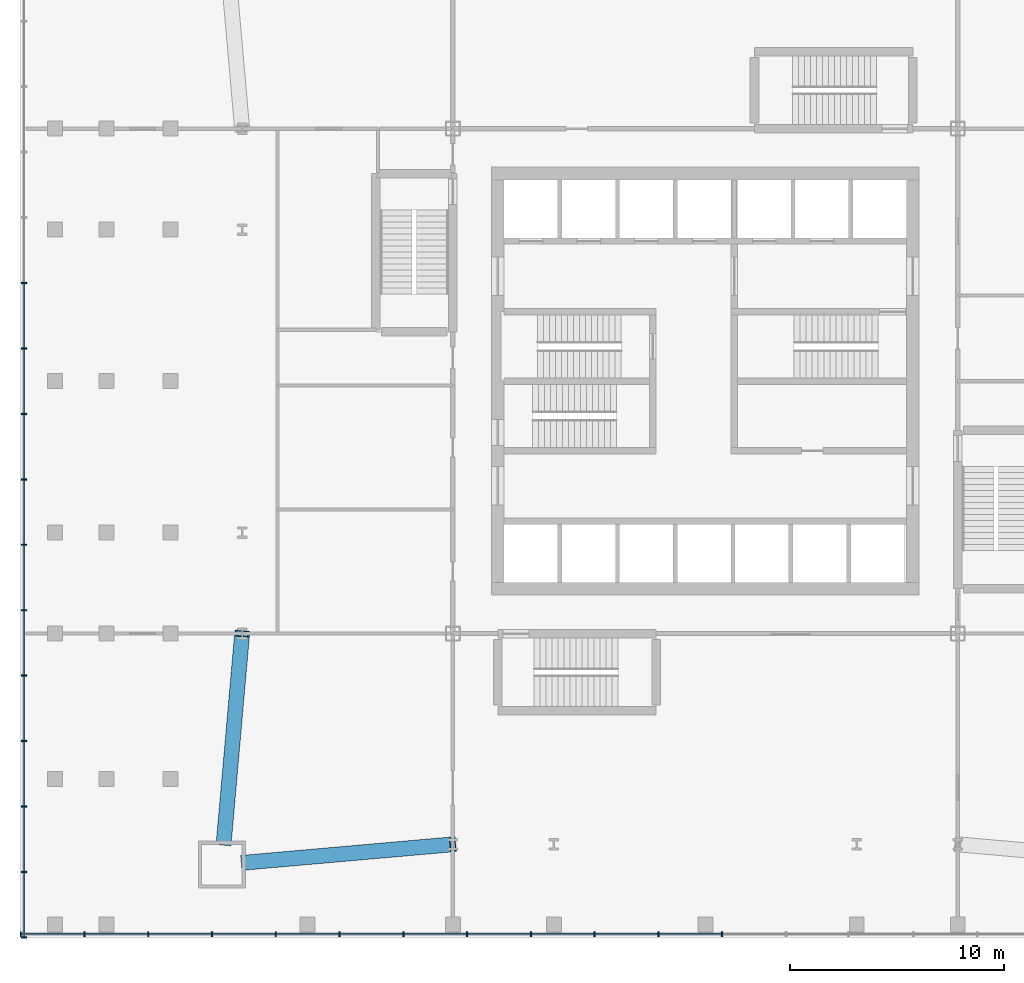
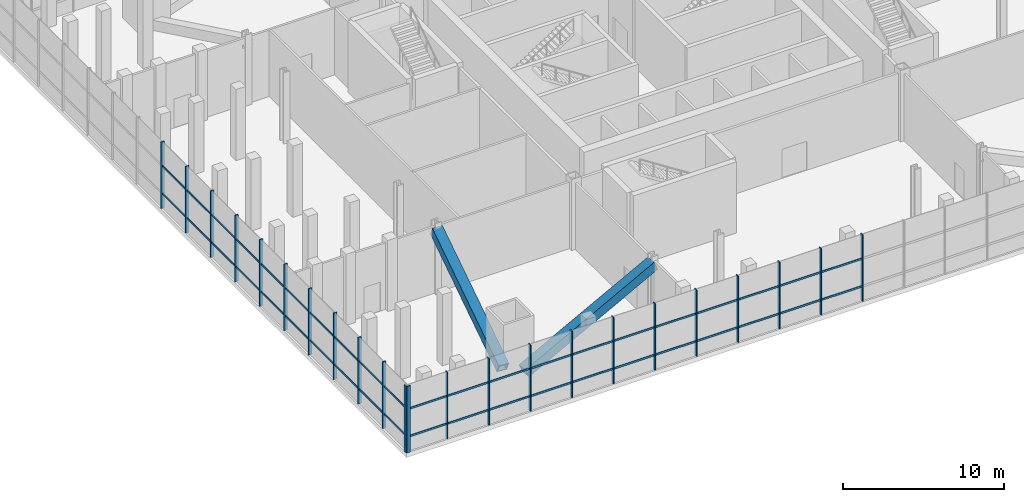
# One storey, part 2 of 17: 67 members, 2 elements without a shape of their own.
"""IFC4 building model written with IfcOpenShell, lengths in metres."""

from ifc_helpers import new_model, si_unit, direction, frame, origin, origin_2d, place, context, subcontext, project, spatial, rectangle, hollow_rectangle, extrude, material, material_profile, profile_set, type_object, element, aggregate, save


model = new_model("IFC4")

# Units and contexts
model_context = context("Model", 3, precision=1e-05, world=origin(), true_north=direction((0.0, 1.0)))
body_context = subcontext(model_context, "Body", "Model", "MODEL_VIEW")
ifc_project = project(units=[si_unit("LENGTHUNIT", "METRE"), si_unit("AREAUNIT", "SQUARE_METRE"), si_unit("VOLUMEUNIT", "CUBIC_METRE"), si_unit("PLANEANGLEUNIT", "RADIAN"), si_unit("MASSUNIT", "GRAM", prefix="KILO")], contexts=[model_context])

# Site, building, storey
site_placement = place(None, origin())
site = spatial("IfcSite", under=ifc_project, at=site_placement, CompositionType="ELEMENT")
building_placement = place(site_placement, origin())
building = spatial("IfcBuilding", under=site, at=building_placement, Name="Turquesa Mirador Hotel Tower", CompositionType="ELEMENT")
storey_placement = place(building_placement, frame((0.0, 0.0, 5.60009765625)))
storey = spatial("IfcBuildingStorey", under=building, at=storey_placement, Name="L01", CompositionType="ELEMENT", Elevation=5.60009765625)

# Curtain wall, members
ifc_material_1 = material(Name="Aluminium extrusion", Category="aluminium")
curtain_wall_type = type_object("IfcCurtainWallType", Name="CW-2 PODIUM CURTAIN WALL", PredefinedType="USERDEFINED", material=ifc_material_1)
curtain_wall_1_placement = place(storey_placement, origin())
curtain_wall_1 = element("IfcCurtainWall", 1, at=curtain_wall_1_placement, inside=storey, type_object=curtain_wall_type, Name="CW-2 PODIUM CURTAIN WALL L01", ObjectType="CURTAIN WALL", PredefinedType="USERDEFINED")
ifc_material_2 = material(Name="Aluminium extrusion", Category="aluminium")
ifc_material_profile_1 = material_profile(ifc_material_2, rectangle(XDim=0.06494140625, YDim=0.25, at=origin_2d()), Name="MULLION 65X250")
ifc_profile_set_1 = profile_set([ifc_material_profile_1], Name="Aluminium extrusion")
member_type_1 = type_object("IfcMemberType", Name="CW MULLION 65X250", PredefinedType="MULLION", material=ifc_profile_set_1)
member_1_placement = place(storey_placement, frame((23.0, 19.14990234375, 0.0), z_axis=(0.0, 0.0, 1.0), x_axis=(1.0, 0.0, 0.0)))
member_1 = element("IfcMember", 2, at=member_1_placement, type_object=member_type_1, Name="Mullion", PredefinedType="MULLION", context=body_context, shape_type="SweptSolid", body=[
    extrude(rectangle(XDim=0.06494140625, YDim=0.25, at=origin_2d()), origin(), (0.0, 0.0, 1.0), 5.0498046875),
])
member_2_placement = place(storey_placement, frame((25.980712890625, 19.14990234375, 0.0), z_axis=(0.0, 0.0, 1.0), x_axis=(1.0, 0.0, 0.0)))
member_2 = element("IfcMember", 3, at=member_2_placement, type_object=member_type_1, Name="Mullion", PredefinedType="MULLION", context=body_context, shape_type="SweptSolid", body=[
    extrude(rectangle(XDim=0.06494140625, YDim=0.25, at=origin_2d()), origin(), (0.0, 0.0, 1.0), 5.0498046875),
])
member_3_placement = place(storey_placement, frame((28.961669921875, 19.14990234375, 0.0), z_axis=(0.0, 0.0, 1.0), x_axis=(1.0, 0.0, 0.0)))
member_3 = element("IfcMember", 4, at=member_3_placement, type_object=member_type_1, Name="Mullion", PredefinedType="MULLION", context=body_context, shape_type="SweptSolid", body=[
    extrude(rectangle(XDim=0.06494140625, YDim=0.25, at=origin_2d()), origin(), (0.0, 0.0, 1.0), 5.0498046875),
])
member_4_placement = place(storey_placement, frame((31.9423828125, 19.14990234375, 0.0), z_axis=(0.0, 0.0, 1.0), x_axis=(1.0, 0.0, 0.0)))
member_4 = element("IfcMember", 5, at=member_4_placement, type_object=member_type_1, Name="Mullion", PredefinedType="MULLION", context=body_context, shape_type="SweptSolid", body=[
    extrude(rectangle(XDim=0.06494140625, YDim=0.25, at=origin_2d()), origin(), (0.0, 0.0, 1.0), 5.0498046875),
])
member_5_placement = place(storey_placement, frame((34.923095703125, 19.14990234375, 0.0), z_axis=(0.0, 0.0, 1.0), x_axis=(1.0, 0.0, 0.0)))
member_5 = element("IfcMember", 6, at=member_5_placement, type_object=member_type_1, Name="Mullion", PredefinedType="MULLION", context=body_context, shape_type="SweptSolid", body=[
    extrude(rectangle(XDim=0.06494140625, YDim=0.25, at=origin_2d()), origin(), (0.0, 0.0, 1.0), 5.0498046875),
])
member_6_placement = place(storey_placement, frame((37.90380859375, 19.14990234375, 0.0), z_axis=(0.0, 0.0, 1.0), x_axis=(1.0, 0.0, 0.0)))
member_6 = element("IfcMember", 7, at=member_6_placement, type_object=member_type_1, Name="Mullion", PredefinedType="MULLION", context=body_context, shape_type="SweptSolid", body=[
    extrude(rectangle(XDim=0.06494140625, YDim=0.25, at=origin_2d()), origin(), (0.0, 0.0, 1.0), 5.0498046875),
])
member_7_placement = place(storey_placement, frame((40.884765625, 19.14990234375, 0.0), z_axis=(0.0, 0.0, 1.0), x_axis=(1.0, 0.0, 0.0)))
member_7 = element("IfcMember", 8, at=member_7_placement, type_object=member_type_1, Name="Mullion", PredefinedType="MULLION", context=body_context, shape_type="SweptSolid", body=[
    extrude(rectangle(XDim=0.06494140625, YDim=0.25, at=origin_2d()), origin(), (0.0, 0.0, 1.0), 5.0498046875),
])
member_8_placement = place(storey_placement, frame((43.865478515625, 19.14990234375, 0.0), z_axis=(0.0, 0.0, 1.0), x_axis=(1.0, 0.0, 0.0)))
member_8 = element("IfcMember", 9, at=member_8_placement, type_object=member_type_1, Name="Mullion", PredefinedType="MULLION", context=body_context, shape_type="SweptSolid", body=[
    extrude(rectangle(XDim=0.06494140625, YDim=0.25, at=origin_2d()), origin(), (0.0, 0.0, 1.0), 5.0498046875),
])
member_9_placement = place(storey_placement, frame((46.84619140625, 19.14990234375, 0.0), z_axis=(0.0, 0.0, 1.0), x_axis=(1.0, 0.0, 0.0)))
member_9 = element("IfcMember", 10, at=member_9_placement, type_object=member_type_1, Name="Mullion", PredefinedType="MULLION", context=body_context, shape_type="SweptSolid", body=[
    extrude(rectangle(XDim=0.06494140625, YDim=0.25, at=origin_2d()), origin(), (0.0, 0.0, 1.0), 5.0498046875),
])
member_10_placement = place(storey_placement, frame((49.826904296875, 19.14990234375, 0.0), z_axis=(0.0, 0.0, 1.0), x_axis=(1.0, 0.0, 0.0)))
member_10 = element("IfcMember", 11, at=member_10_placement, type_object=member_type_1, Name="Mullion", PredefinedType="MULLION", context=body_context, shape_type="SweptSolid", body=[
    extrude(rectangle(XDim=0.06494140625, YDim=0.25, at=origin_2d()), origin(), (0.0, 0.0, 1.0), 5.0498046875),
])
member_11_placement = place(storey_placement, frame((52.807861328125, 19.14990234375, 0.0), z_axis=(0.0, 0.0, 1.0), x_axis=(1.0, 0.0, 0.0)))
member_11 = element("IfcMember", 12, at=member_11_placement, type_object=member_type_1, Name="Mullion", PredefinedType="MULLION", context=body_context, shape_type="SweptSolid", body=[
    extrude(rectangle(XDim=0.06494140625, YDim=0.25, at=origin_2d()), origin(), (0.0, 0.0, 1.0), 5.0498046875),
])
member_12_placement = place(storey_placement, frame((55.78857421875, 19.14990234375, 0.0), z_axis=(0.0, 0.0, 1.0), x_axis=(1.0, 0.0, 0.0)))
member_12 = element("IfcMember", 13, at=member_12_placement, type_object=member_type_1, Name="Mullion", PredefinedType="MULLION", context=body_context, shape_type="SweptSolid", body=[
    extrude(rectangle(XDim=0.06494140625, YDim=0.25, at=origin_2d()), origin(), (0.0, 0.0, 1.0), 5.0498046875),
])

curtain_wall_2_placement = place(storey_placement, origin())
curtain_wall_2 = element("IfcCurtainWall", 14, at=curtain_wall_2_placement, inside=storey, type_object=curtain_wall_type, Name="CW-2 PODIUM CURTAIN WALL L01", ObjectType="CURTAIN WALL", PredefinedType="USERDEFINED")
member_13_placement = place(storey_placement, frame((23.14990234375, 49.588134765625, 0.0), z_axis=(0.0, 0.0, 1.0), x_axis=(0.0, -1.0, 0.0)))
member_13 = element("IfcMember", 15, at=member_13_placement, type_object=member_type_1, Name="Mullion", PredefinedType="MULLION", context=body_context, shape_type="SweptSolid", body=[
    extrude(rectangle(XDim=0.06494140625, YDim=0.25, at=origin_2d()), origin(), (0.0, 0.0, 1.0), 5.0498046875),
])
member_14_placement = place(storey_placement, frame((23.14990234375, 46.529296875, 0.0), z_axis=(0.0, 0.0, 1.0), x_axis=(0.0, -1.0, 0.0)))
member_14 = element("IfcMember", 16, at=member_14_placement, type_object=member_type_1, Name="Mullion", PredefinedType="MULLION", context=body_context, shape_type="SweptSolid", body=[
    extrude(rectangle(XDim=0.06494140625, YDim=0.25, at=origin_2d()), origin(), (0.0, 0.0, 1.0), 5.0498046875),
])
member_15_placement = place(storey_placement, frame((23.14990234375, 43.470703125, 0.0), z_axis=(0.0, 0.0, 1.0), x_axis=(0.0, -1.0, 0.0)))
member_15 = element("IfcMember", 17, at=member_15_placement, type_object=member_type_1, Name="Mullion", PredefinedType="MULLION", context=body_context, shape_type="SweptSolid", body=[
    extrude(rectangle(XDim=0.06494140625, YDim=0.25, at=origin_2d()), origin(), (0.0, 0.0, 1.0), 5.0498046875),
])
member_16_placement = place(storey_placement, frame((23.14990234375, 40.411865234375, 0.0), z_axis=(0.0, 0.0, 1.0), x_axis=(0.0, -1.0, 0.0)))
member_16 = element("IfcMember", 18, at=member_16_placement, type_object=member_type_1, Name="Mullion", PredefinedType="MULLION", context=body_context, shape_type="SweptSolid", body=[
    extrude(rectangle(XDim=0.06494140625, YDim=0.25, at=origin_2d()), origin(), (0.0, 0.0, 1.0), 5.0498046875),
])
member_17_placement = place(storey_placement, frame((23.14990234375, 37.35302734375, 0.0), z_axis=(0.0, 0.0, 1.0), x_axis=(0.0, -1.0, 0.0)))
member_17 = element("IfcMember", 19, at=member_17_placement, type_object=member_type_1, Name="Mullion", PredefinedType="MULLION", context=body_context, shape_type="SweptSolid", body=[
    extrude(rectangle(XDim=0.06494140625, YDim=0.25, at=origin_2d()), origin(), (0.0, 0.0, 1.0), 5.0498046875),
])
member_18_placement = place(storey_placement, frame((23.14990234375, 34.294189453125, 0.0), z_axis=(0.0, 0.0, 1.0), x_axis=(0.0, -1.0, 0.0)))
member_18 = element("IfcMember", 20, at=member_18_placement, type_object=member_type_1, Name="Mullion", PredefinedType="MULLION", context=body_context, shape_type="SweptSolid", body=[
    extrude(rectangle(XDim=0.06494140625, YDim=0.25, at=origin_2d()), origin(), (0.0, 0.0, 1.0), 5.0498046875),
])
member_19_placement = place(storey_placement, frame((23.14990234375, 31.2353515625, 0.0), z_axis=(0.0, 0.0, 1.0), x_axis=(0.0, -1.0, 0.0)))
member_19 = element("IfcMember", 21, at=member_19_placement, type_object=member_type_1, Name="Mullion", PredefinedType="MULLION", context=body_context, shape_type="SweptSolid", body=[
    extrude(rectangle(XDim=0.06494140625, YDim=0.25, at=origin_2d()), origin(), (0.0, 0.0, 1.0), 5.0498046875),
])
member_20_placement = place(storey_placement, frame((23.14990234375, 28.176513671875, 0.0), z_axis=(0.0, 0.0, 1.0), x_axis=(0.0, -1.0, 0.0)))
member_20 = element("IfcMember", 22, at=member_20_placement, type_object=member_type_1, Name="Mullion", PredefinedType="MULLION", context=body_context, shape_type="SweptSolid", body=[
    extrude(rectangle(XDim=0.06494140625, YDim=0.25, at=origin_2d()), origin(), (0.0, 0.0, 1.0), 5.0498046875),
])
member_21_placement = place(storey_placement, frame((23.14990234375, 25.11767578125, 0.0), z_axis=(0.0, 0.0, 1.0), x_axis=(0.0, -1.0, 0.0)))
member_21 = element("IfcMember", 23, at=member_21_placement, type_object=member_type_1, Name="Mullion", PredefinedType="MULLION", context=body_context, shape_type="SweptSolid", body=[
    extrude(rectangle(XDim=0.06494140625, YDim=0.25, at=origin_2d()), origin(), (0.0, 0.0, 1.0), 5.0498046875),
])
member_22_placement = place(storey_placement, frame((23.14990234375, 22.058837890625, 0.0), z_axis=(0.0, 0.0, 1.0), x_axis=(0.0, -1.0, 0.0)))
member_22 = element("IfcMember", 24, at=member_22_placement, type_object=member_type_1, Name="Mullion", PredefinedType="MULLION", context=body_context, shape_type="SweptSolid", body=[
    extrude(rectangle(XDim=0.06494140625, YDim=0.25, at=origin_2d()), origin(), (0.0, 0.0, 1.0), 5.0498046875),
])
member_23_placement = place(storey_placement, frame((23.14990234375, 19.0, 0.0), z_axis=(0.0, 0.0, 1.0), x_axis=(0.0, -1.0, 0.0)))
member_23 = element("IfcMember", 25, at=member_23_placement, type_object=member_type_1, Name="Mullion", PredefinedType="MULLION", context=body_context, shape_type="SweptSolid", body=[
    extrude(rectangle(XDim=0.06494140625, YDim=0.25, at=origin_2d()), origin(), (0.0, 0.0, 1.0), 5.0498046875),
])

# Member
ifc_material_3 = material(Name="Aluminium extrusion", Category="aluminium")
ifc_material_profile_2 = material_profile(ifc_material_3, rectangle(XDim=0.06494140625, YDim=0.14990234375, at=origin_2d()), Name="TRANSOM 65X150")
ifc_profile_set_2 = profile_set([ifc_material_profile_2], Name="Aluminium extrusion")
member_type_2 = type_object("IfcMemberType", Name="CW TRANSOM 65X150", PredefinedType="USERDEFINED", material=ifc_profile_set_2)
member_24_placement = place(storey_placement, frame((23.032470703125, 19.14990234375, 1.099853515625), z_axis=(1.0, 0.0, 0.0), x_axis=(0.0, 1.0, 0.0)))
member_24 = element("IfcMember", 26, at=member_24_placement, type_object=member_type_2, Name="Transom", ObjectType="TRANSOM", PredefinedType="USERDEFINED", context=body_context, shape_type="SweptSolid", body=[
    extrude(rectangle(XDim=0.06494140625, YDim=0.14990234375, at=origin_2d()), origin(), (0.0, 0.0, 1.0), 2.915771484375),
])

member_25_placement = place(storey_placement, frame((23.032470703125, 19.14990234375, 3.199951171875), z_axis=(1.0, 0.0, 0.0), x_axis=(0.0, 1.0, 0.0)))
member_25 = element("IfcMember", 27, at=member_25_placement, type_object=member_type_2, Name="Transom", ObjectType="TRANSOM", PredefinedType="USERDEFINED", context=body_context, shape_type="SweptSolid", body=[
    extrude(rectangle(XDim=0.06494140625, YDim=0.14990234375, at=origin_2d()), origin(), (0.0, 0.0, 1.0), 2.915771484375),
])

member_26_placement = place(storey_placement, frame((26.01318359375, 19.14990234375, 1.099853515625), z_axis=(1.0, 0.0, 0.0), x_axis=(0.0, 1.0, 0.0)))
member_26 = element("IfcMember", 28, at=member_26_placement, type_object=member_type_2, Name="Transom", ObjectType="TRANSOM", PredefinedType="USERDEFINED", context=body_context, shape_type="SweptSolid", body=[
    extrude(rectangle(XDim=0.06494140625, YDim=0.14990234375, at=origin_2d()), origin(), (0.0, 0.0, 1.0), 2.915771484375),
])

member_27_placement = place(storey_placement, frame((26.01318359375, 19.14990234375, 3.199951171875), z_axis=(1.0, 0.0, 0.0), x_axis=(0.0, 1.0, 0.0)))
member_27 = element("IfcMember", 29, at=member_27_placement, type_object=member_type_2, Name="Transom", ObjectType="TRANSOM", PredefinedType="USERDEFINED", context=body_context, shape_type="SweptSolid", body=[
    extrude(rectangle(XDim=0.06494140625, YDim=0.14990234375, at=origin_2d()), origin(), (0.0, 0.0, 1.0), 2.915771484375),
])

member_28_placement = place(storey_placement, frame((28.994140625, 19.14990234375, 1.099853515625), z_axis=(1.0, 0.0, 0.0), x_axis=(0.0, 1.0, 0.0)))
member_28 = element("IfcMember", 30, at=member_28_placement, type_object=member_type_2, Name="Transom", ObjectType="TRANSOM", PredefinedType="USERDEFINED", context=body_context, shape_type="SweptSolid", body=[
    extrude(rectangle(XDim=0.06494140625, YDim=0.14990234375, at=origin_2d()), origin(), (0.0, 0.0, 1.0), 2.915771484375),
])

member_29_placement = place(storey_placement, frame((28.994140625, 19.14990234375, 3.199951171875), z_axis=(1.0, 0.0, 0.0), x_axis=(0.0, 1.0, 0.0)))
member_29 = element("IfcMember", 31, at=member_29_placement, type_object=member_type_2, Name="Transom", ObjectType="TRANSOM", PredefinedType="USERDEFINED", context=body_context, shape_type="SweptSolid", body=[
    extrude(rectangle(XDim=0.06494140625, YDim=0.14990234375, at=origin_2d()), origin(), (0.0, 0.0, 1.0), 2.915771484375),
])

member_30_placement = place(storey_placement, frame((31.974853515625, 19.14990234375, 1.099853515625), z_axis=(1.0, 0.0, 0.0), x_axis=(0.0, 1.0, 0.0)))
member_30 = element("IfcMember", 32, at=member_30_placement, type_object=member_type_2, Name="Transom", ObjectType="TRANSOM", PredefinedType="USERDEFINED", context=body_context, shape_type="SweptSolid", body=[
    extrude(rectangle(XDim=0.06494140625, YDim=0.14990234375, at=origin_2d()), origin(), (0.0, 0.0, 1.0), 2.915771484375),
])

member_31_placement = place(storey_placement, frame((31.974853515625, 19.14990234375, 3.199951171875), z_axis=(1.0, 0.0, 0.0), x_axis=(0.0, 1.0, 0.0)))
member_31 = element("IfcMember", 33, at=member_31_placement, type_object=member_type_2, Name="Transom", ObjectType="TRANSOM", PredefinedType="USERDEFINED", context=body_context, shape_type="SweptSolid", body=[
    extrude(rectangle(XDim=0.06494140625, YDim=0.14990234375, at=origin_2d()), origin(), (0.0, 0.0, 1.0), 2.915771484375),
])

member_32_placement = place(storey_placement, frame((34.95556640625, 19.14990234375, 1.099853515625), z_axis=(1.0, 0.0, 0.0), x_axis=(0.0, 1.0, 0.0)))
member_32 = element("IfcMember", 34, at=member_32_placement, type_object=member_type_2, Name="Transom", ObjectType="TRANSOM", PredefinedType="USERDEFINED", context=body_context, shape_type="SweptSolid", body=[
    extrude(rectangle(XDim=0.06494140625, YDim=0.14990234375, at=origin_2d()), origin(), (0.0, 0.0, 1.0), 2.915771484375),
])

member_33_placement = place(storey_placement, frame((34.95556640625, 19.14990234375, 3.199951171875), z_axis=(1.0, 0.0, 0.0), x_axis=(0.0, 1.0, 0.0)))
member_33 = element("IfcMember", 35, at=member_33_placement, type_object=member_type_2, Name="Transom", ObjectType="TRANSOM", PredefinedType="USERDEFINED", context=body_context, shape_type="SweptSolid", body=[
    extrude(rectangle(XDim=0.06494140625, YDim=0.14990234375, at=origin_2d()), origin(), (0.0, 0.0, 1.0), 2.915771484375),
])

member_34_placement = place(storey_placement, frame((37.936279296875, 19.14990234375, 1.099853515625), z_axis=(1.0, 0.0, 0.0), x_axis=(0.0, 1.0, 0.0)))
member_34 = element("IfcMember", 36, at=member_34_placement, type_object=member_type_2, Name="Transom", ObjectType="TRANSOM", PredefinedType="USERDEFINED", context=body_context, shape_type="SweptSolid", body=[
    extrude(rectangle(XDim=0.06494140625, YDim=0.14990234375, at=origin_2d()), origin(), (0.0, 0.0, 1.0), 2.915771484375),
])

member_35_placement = place(storey_placement, frame((37.936279296875, 19.14990234375, 3.199951171875), z_axis=(1.0, 0.0, 0.0), x_axis=(0.0, 1.0, 0.0)))
member_35 = element("IfcMember", 37, at=member_35_placement, type_object=member_type_2, Name="Transom", ObjectType="TRANSOM", PredefinedType="USERDEFINED", context=body_context, shape_type="SweptSolid", body=[
    extrude(rectangle(XDim=0.06494140625, YDim=0.14990234375, at=origin_2d()), origin(), (0.0, 0.0, 1.0), 2.915771484375),
])

member_36_placement = place(storey_placement, frame((40.917236328125, 19.14990234375, 1.099853515625), z_axis=(1.0, 0.0, 0.0), x_axis=(0.0, 1.0, 0.0)))
member_36 = element("IfcMember", 38, at=member_36_placement, type_object=member_type_2, Name="Transom", ObjectType="TRANSOM", PredefinedType="USERDEFINED", context=body_context, shape_type="SweptSolid", body=[
    extrude(rectangle(XDim=0.06494140625, YDim=0.14990234375, at=origin_2d()), origin(), (0.0, 0.0, 1.0), 2.915771484375),
])

member_37_placement = place(storey_placement, frame((40.917236328125, 19.14990234375, 3.199951171875), z_axis=(1.0, 0.0, 0.0), x_axis=(0.0, 1.0, 0.0)))
member_37 = element("IfcMember", 39, at=member_37_placement, type_object=member_type_2, Name="Transom", ObjectType="TRANSOM", PredefinedType="USERDEFINED", context=body_context, shape_type="SweptSolid", body=[
    extrude(rectangle(XDim=0.06494140625, YDim=0.14990234375, at=origin_2d()), origin(), (0.0, 0.0, 1.0), 2.915771484375),
])

member_38_placement = place(storey_placement, frame((43.89794921875, 19.14990234375, 1.099853515625), z_axis=(1.0, 0.0, 0.0), x_axis=(0.0, 1.0, 0.0)))
member_38 = element("IfcMember", 40, at=member_38_placement, type_object=member_type_2, Name="Transom", ObjectType="TRANSOM", PredefinedType="USERDEFINED", context=body_context, shape_type="SweptSolid", body=[
    extrude(rectangle(XDim=0.06494140625, YDim=0.14990234375, at=origin_2d()), origin(), (0.0, 0.0, 1.0), 2.915771484375),
])

member_39_placement = place(storey_placement, frame((43.89794921875, 19.14990234375, 3.199951171875), z_axis=(1.0, 0.0, 0.0), x_axis=(0.0, 1.0, 0.0)))
member_39 = element("IfcMember", 41, at=member_39_placement, type_object=member_type_2, Name="Transom", ObjectType="TRANSOM", PredefinedType="USERDEFINED", context=body_context, shape_type="SweptSolid", body=[
    extrude(rectangle(XDim=0.06494140625, YDim=0.14990234375, at=origin_2d()), origin(), (0.0, 0.0, 1.0), 2.915771484375),
])

member_40_placement = place(storey_placement, frame((46.878662109375, 19.14990234375, 1.099853515625), z_axis=(1.0, 0.0, 0.0), x_axis=(0.0, 1.0, 0.0)))
member_40 = element("IfcMember", 42, at=member_40_placement, type_object=member_type_2, Name="Transom", ObjectType="TRANSOM", PredefinedType="USERDEFINED", context=body_context, shape_type="SweptSolid", body=[
    extrude(rectangle(XDim=0.06494140625, YDim=0.14990234375, at=origin_2d()), origin(), (0.0, 0.0, 1.0), 2.915771484375),
])

member_41_placement = place(storey_placement, frame((46.878662109375, 19.14990234375, 3.199951171875), z_axis=(1.0, 0.0, 0.0), x_axis=(0.0, 1.0, 0.0)))
member_41 = element("IfcMember", 43, at=member_41_placement, type_object=member_type_2, Name="Transom", ObjectType="TRANSOM", PredefinedType="USERDEFINED", context=body_context, shape_type="SweptSolid", body=[
    extrude(rectangle(XDim=0.06494140625, YDim=0.14990234375, at=origin_2d()), origin(), (0.0, 0.0, 1.0), 2.915771484375),
])

member_42_placement = place(storey_placement, frame((49.859375, 19.14990234375, 1.099853515625), z_axis=(1.0, 0.0, 0.0), x_axis=(0.0, 1.0, 0.0)))
member_42 = element("IfcMember", 44, at=member_42_placement, type_object=member_type_2, Name="Transom", ObjectType="TRANSOM", PredefinedType="USERDEFINED", context=body_context, shape_type="SweptSolid", body=[
    extrude(rectangle(XDim=0.06494140625, YDim=0.14990234375, at=origin_2d()), origin(), (0.0, 0.0, 1.0), 2.915771484375),
])

member_43_placement = place(storey_placement, frame((49.859375, 19.14990234375, 3.199951171875), z_axis=(1.0, 0.0, 0.0), x_axis=(0.0, 1.0, 0.0)))
member_43 = element("IfcMember", 45, at=member_43_placement, type_object=member_type_2, Name="Transom", ObjectType="TRANSOM", PredefinedType="USERDEFINED", context=body_context, shape_type="SweptSolid", body=[
    extrude(rectangle(XDim=0.06494140625, YDim=0.14990234375, at=origin_2d()), origin(), (0.0, 0.0, 1.0), 2.915771484375),
])

member_44_placement = place(storey_placement, frame((52.84033203125, 19.14990234375, 1.099853515625), z_axis=(1.0, 0.0, 0.0), x_axis=(0.0, 1.0, 0.0)))
member_44 = element("IfcMember", 46, at=member_44_placement, type_object=member_type_2, Name="Transom", ObjectType="TRANSOM", PredefinedType="USERDEFINED", context=body_context, shape_type="SweptSolid", body=[
    extrude(rectangle(XDim=0.06494140625, YDim=0.14990234375, at=origin_2d()), origin(), (0.0, 0.0, 1.0), 2.915771484375),
])

member_45_placement = place(storey_placement, frame((52.84033203125, 19.14990234375, 3.199951171875), z_axis=(1.0, 0.0, 0.0), x_axis=(0.0, 1.0, 0.0)))
member_45 = element("IfcMember", 47, at=member_45_placement, type_object=member_type_2, Name="Transom", ObjectType="TRANSOM", PredefinedType="USERDEFINED", context=body_context, shape_type="SweptSolid", body=[
    extrude(rectangle(XDim=0.06494140625, YDim=0.14990234375, at=origin_2d()), origin(), (0.0, 0.0, 1.0), 2.915771484375),
])

aggregate(curtain_wall_1, [member_1, member_2, member_3, member_4, member_5, member_6, member_7, member_8, member_9, member_10, member_11, member_12, member_24, member_25, member_26, member_27, member_28, member_29, member_30, member_31, member_32, member_33, member_34, member_35, member_36, member_37, member_38, member_39, member_40, member_41, member_42, member_43, member_44, member_45])

member_46_placement = place(storey_placement, frame((23.14990234375, 49.5556640625, 1.099853515625), z_axis=(0.0, -1.0, 0.0), x_axis=(1.0, 0.0, 0.0)))
member_46 = element("IfcMember", 48, at=member_46_placement, type_object=member_type_2, Name="Transom", ObjectType="TRANSOM", PredefinedType="USERDEFINED", context=body_context, shape_type="SweptSolid", body=[
    extrude(rectangle(XDim=0.06494140625, YDim=0.14990234375, at=origin_2d()), origin(), (0.0, 0.0, 1.0), 2.99365234375),
])

member_47_placement = place(storey_placement, frame((23.14990234375, 49.5556640625, 3.199951171875), z_axis=(0.0, -1.0, 0.0), x_axis=(1.0, 0.0, 0.0)))
member_47 = element("IfcMember", 49, at=member_47_placement, type_object=member_type_2, Name="Transom", ObjectType="TRANSOM", PredefinedType="USERDEFINED", context=body_context, shape_type="SweptSolid", body=[
    extrude(rectangle(XDim=0.06494140625, YDim=0.14990234375, at=origin_2d()), origin(), (0.0, 0.0, 1.0), 2.99365234375),
])

member_48_placement = place(storey_placement, frame((23.14990234375, 46.496826171875, 1.099853515625), z_axis=(0.0, -1.0, 0.0), x_axis=(1.0, 0.0, 0.0)))
member_48 = element("IfcMember", 50, at=member_48_placement, type_object=member_type_2, Name="Transom", ObjectType="TRANSOM", PredefinedType="USERDEFINED", context=body_context, shape_type="SweptSolid", body=[
    extrude(rectangle(XDim=0.06494140625, YDim=0.14990234375, at=origin_2d()), origin(), (0.0, 0.0, 1.0), 2.99365234375),
])

member_49_placement = place(storey_placement, frame((23.14990234375, 46.496826171875, 3.199951171875), z_axis=(0.0, -1.0, 0.0), x_axis=(1.0, 0.0, 0.0)))
member_49 = element("IfcMember", 51, at=member_49_placement, type_object=member_type_2, Name="Transom", ObjectType="TRANSOM", PredefinedType="USERDEFINED", context=body_context, shape_type="SweptSolid", body=[
    extrude(rectangle(XDim=0.06494140625, YDim=0.14990234375, at=origin_2d()), origin(), (0.0, 0.0, 1.0), 2.99365234375),
])

member_50_placement = place(storey_placement, frame((23.14990234375, 43.43798828125, 1.099853515625), z_axis=(0.0, -1.0, 0.0), x_axis=(1.0, 0.0, 0.0)))
member_50 = element("IfcMember", 52, at=member_50_placement, type_object=member_type_2, Name="Transom", ObjectType="TRANSOM", PredefinedType="USERDEFINED", context=body_context, shape_type="SweptSolid", body=[
    extrude(rectangle(XDim=0.06494140625, YDim=0.14990234375, at=origin_2d()), origin(), (0.0, 0.0, 1.0), 2.99365234375),
])

member_51_placement = place(storey_placement, frame((23.14990234375, 43.43798828125, 3.199951171875), z_axis=(0.0, -1.0, 0.0), x_axis=(1.0, 0.0, 0.0)))
member_51 = element("IfcMember", 53, at=member_51_placement, type_object=member_type_2, Name="Transom", ObjectType="TRANSOM", PredefinedType="USERDEFINED", context=body_context, shape_type="SweptSolid", body=[
    extrude(rectangle(XDim=0.06494140625, YDim=0.14990234375, at=origin_2d()), origin(), (0.0, 0.0, 1.0), 2.99365234375),
])

member_52_placement = place(storey_placement, frame((23.14990234375, 40.379150390625, 1.099853515625), z_axis=(0.0, -1.0, 0.0), x_axis=(1.0, 0.0, 0.0)))
member_52 = element("IfcMember", 54, at=member_52_placement, type_object=member_type_2, Name="Transom", ObjectType="TRANSOM", PredefinedType="USERDEFINED", context=body_context, shape_type="SweptSolid", body=[
    extrude(rectangle(XDim=0.06494140625, YDim=0.14990234375, at=origin_2d()), origin(), (0.0, 0.0, 1.0), 2.99365234375),
])

member_53_placement = place(storey_placement, frame((23.14990234375, 40.379150390625, 3.199951171875), z_axis=(0.0, -1.0, 0.0), x_axis=(1.0, 0.0, 0.0)))
member_53 = element("IfcMember", 55, at=member_53_placement, type_object=member_type_2, Name="Transom", ObjectType="TRANSOM", PredefinedType="USERDEFINED", context=body_context, shape_type="SweptSolid", body=[
    extrude(rectangle(XDim=0.06494140625, YDim=0.14990234375, at=origin_2d()), origin(), (0.0, 0.0, 1.0), 2.99365234375),
])

member_54_placement = place(storey_placement, frame((23.14990234375, 37.320556640625, 1.099853515625), z_axis=(0.0, -1.0, 0.0), x_axis=(1.0, 0.0, 0.0)))
member_54 = element("IfcMember", 56, at=member_54_placement, type_object=member_type_2, Name="Transom", ObjectType="TRANSOM", PredefinedType="USERDEFINED", context=body_context, shape_type="SweptSolid", body=[
    extrude(rectangle(XDim=0.06494140625, YDim=0.14990234375, at=origin_2d()), origin(), (0.0, 0.0, 1.0), 2.993896484375),
])

member_55_placement = place(storey_placement, frame((23.14990234375, 37.320556640625, 3.199951171875), z_axis=(0.0, -1.0, 0.0), x_axis=(1.0, 0.0, 0.0)))
member_55 = element("IfcMember", 57, at=member_55_placement, type_object=member_type_2, Name="Transom", ObjectType="TRANSOM", PredefinedType="USERDEFINED", context=body_context, shape_type="SweptSolid", body=[
    extrude(rectangle(XDim=0.06494140625, YDim=0.14990234375, at=origin_2d()), origin(), (0.0, 0.0, 1.0), 2.993896484375),
])

member_56_placement = place(storey_placement, frame((23.14990234375, 34.26171875, 1.099853515625), z_axis=(0.0, -1.0, 0.0), x_axis=(1.0, 0.0, 0.0)))
member_56 = element("IfcMember", 58, at=member_56_placement, type_object=member_type_2, Name="Transom", ObjectType="TRANSOM", PredefinedType="USERDEFINED", context=body_context, shape_type="SweptSolid", body=[
    extrude(rectangle(XDim=0.06494140625, YDim=0.14990234375, at=origin_2d()), origin(), (0.0, 0.0, 1.0), 2.993896484375),
])

member_57_placement = place(storey_placement, frame((23.14990234375, 34.26171875, 3.199951171875), z_axis=(0.0, -1.0, 0.0), x_axis=(1.0, 0.0, 0.0)))
member_57 = element("IfcMember", 59, at=member_57_placement, type_object=member_type_2, Name="Transom", ObjectType="TRANSOM", PredefinedType="USERDEFINED", context=body_context, shape_type="SweptSolid", body=[
    extrude(rectangle(XDim=0.06494140625, YDim=0.14990234375, at=origin_2d()), origin(), (0.0, 0.0, 1.0), 2.993896484375),
])

member_58_placement = place(storey_placement, frame((23.14990234375, 31.202880859375, 1.099853515625), z_axis=(0.0, -1.0, 0.0), x_axis=(1.0, 0.0, 0.0)))
member_58 = element("IfcMember", 60, at=member_58_placement, type_object=member_type_2, Name="Transom", ObjectType="TRANSOM", PredefinedType="USERDEFINED", context=body_context, shape_type="SweptSolid", body=[
    extrude(rectangle(XDim=0.06494140625, YDim=0.14990234375, at=origin_2d()), origin(), (0.0, 0.0, 1.0), 2.993896484375),
])

member_59_placement = place(storey_placement, frame((23.14990234375, 31.202880859375, 3.199951171875), z_axis=(0.0, -1.0, 0.0), x_axis=(1.0, 0.0, 0.0)))
member_59 = element("IfcMember", 61, at=member_59_placement, type_object=member_type_2, Name="Transom", ObjectType="TRANSOM", PredefinedType="USERDEFINED", context=body_context, shape_type="SweptSolid", body=[
    extrude(rectangle(XDim=0.06494140625, YDim=0.14990234375, at=origin_2d()), origin(), (0.0, 0.0, 1.0), 2.993896484375),
])

member_60_placement = place(storey_placement, frame((23.14990234375, 28.14404296875, 1.099853515625), z_axis=(0.0, -1.0, 0.0), x_axis=(1.0, 0.0, 0.0)))
member_60 = element("IfcMember", 62, at=member_60_placement, type_object=member_type_2, Name="Transom", ObjectType="TRANSOM", PredefinedType="USERDEFINED", context=body_context, shape_type="SweptSolid", body=[
    extrude(rectangle(XDim=0.06494140625, YDim=0.14990234375, at=origin_2d()), origin(), (0.0, 0.0, 1.0), 2.993896484375),
])

member_61_placement = place(storey_placement, frame((23.14990234375, 28.14404296875, 3.199951171875), z_axis=(0.0, -1.0, 0.0), x_axis=(1.0, 0.0, 0.0)))
member_61 = element("IfcMember", 63, at=member_61_placement, type_object=member_type_2, Name="Transom", ObjectType="TRANSOM", PredefinedType="USERDEFINED", context=body_context, shape_type="SweptSolid", body=[
    extrude(rectangle(XDim=0.06494140625, YDim=0.14990234375, at=origin_2d()), origin(), (0.0, 0.0, 1.0), 2.993896484375),
])

member_62_placement = place(storey_placement, frame((23.14990234375, 25.085205078125, 1.099853515625), z_axis=(0.0, -1.0, 0.0), x_axis=(1.0, 0.0, 0.0)))
member_62 = element("IfcMember", 64, at=member_62_placement, type_object=member_type_2, Name="Transom", ObjectType="TRANSOM", PredefinedType="USERDEFINED", context=body_context, shape_type="SweptSolid", body=[
    extrude(rectangle(XDim=0.06494140625, YDim=0.14990234375, at=origin_2d()), origin(), (0.0, 0.0, 1.0), 2.993896484375),
])

member_63_placement = place(storey_placement, frame((23.14990234375, 25.085205078125, 3.199951171875), z_axis=(0.0, -1.0, 0.0), x_axis=(1.0, 0.0, 0.0)))
member_63 = element("IfcMember", 65, at=member_63_placement, type_object=member_type_2, Name="Transom", ObjectType="TRANSOM", PredefinedType="USERDEFINED", context=body_context, shape_type="SweptSolid", body=[
    extrude(rectangle(XDim=0.06494140625, YDim=0.14990234375, at=origin_2d()), origin(), (0.0, 0.0, 1.0), 2.993896484375),
])

member_64_placement = place(storey_placement, frame((23.14990234375, 22.0263671875, 1.099853515625), z_axis=(0.0, -1.0, 0.0), x_axis=(1.0, 0.0, 0.0)))
member_64 = element("IfcMember", 66, at=member_64_placement, type_object=member_type_2, Name="Transom", ObjectType="TRANSOM", PredefinedType="USERDEFINED", context=body_context, shape_type="SweptSolid", body=[
    extrude(rectangle(XDim=0.06494140625, YDim=0.14990234375, at=origin_2d()), origin(), (0.0, 0.0, 1.0), 2.993896484375),
])

member_65_placement = place(storey_placement, frame((23.14990234375, 22.0263671875, 3.199951171875), z_axis=(0.0, -1.0, 0.0), x_axis=(1.0, 0.0, 0.0)))
member_65 = element("IfcMember", 67, at=member_65_placement, type_object=member_type_2, Name="Transom", ObjectType="TRANSOM", PredefinedType="USERDEFINED", context=body_context, shape_type="SweptSolid", body=[
    extrude(rectangle(XDim=0.06494140625, YDim=0.14990234375, at=origin_2d()), origin(), (0.0, 0.0, 1.0), 2.993896484375),
])

aggregate(curtain_wall_2, [member_13, member_14, member_15, member_16, member_17, member_18, member_19, member_20, member_21, member_22, member_23, member_46, member_47, member_48, member_49, member_50, member_51, member_52, member_53, member_54, member_55, member_56, member_57, member_58, member_59, member_60, member_61, member_62, member_63, member_64, member_65])

# Members
ifc_material_4 = material(Name="Steel ASTM A572 Grade 50", Category="steel")
ifc_material_profile_3 = material_profile(ifc_material_4, hollow_rectangle(XDim=0.699951171875, YDim=0.699951171875, WallThickness=0.06005859375, at=origin_2d()), Name="BOX700X700X60")
ifc_profile_set_3 = profile_set([ifc_material_profile_3], Name="Steel ASTM A572 Grade 50")
member_type_3 = type_object("IfcMemberType", Name="PODIUM BRACE BOX700X700X60", PredefinedType="BRACE", material=ifc_profile_set_3)
for number, where, z_axis, x_axis, name in (
    (68, (33.449951171875, 22.492431640625, 0.456787109375), (0.913963080549, 0.080397443459, 0.397753363881), (-0.087627369437, 0.996153323603, 0.0), "Podium brace S"),
    (69, (32.492431640625, 23.449951171875, 0.456787109375), (0.080397443459, 0.913963080549, 0.397753363881), (-0.996153323603, 0.087627369437, 0.0), "Podium brace W"),
):
    element("IfcMember", number, at=place(storey_placement, frame(where, z_axis=z_axis, x_axis=x_axis)), inside=storey, type_object=member_type_3, Name=name, PredefinedType="BRACE", context=body_context, shape_type="SweptSolid", body=[
        extrude(hollow_rectangle(XDim=0.699951171875, YDim=0.699951171875, WallThickness=0.06005859375, at=origin_2d()), origin(), (0.0, 0.0, 1.0), 10.667724609375),
    ])

save(model, "model.ifc")
